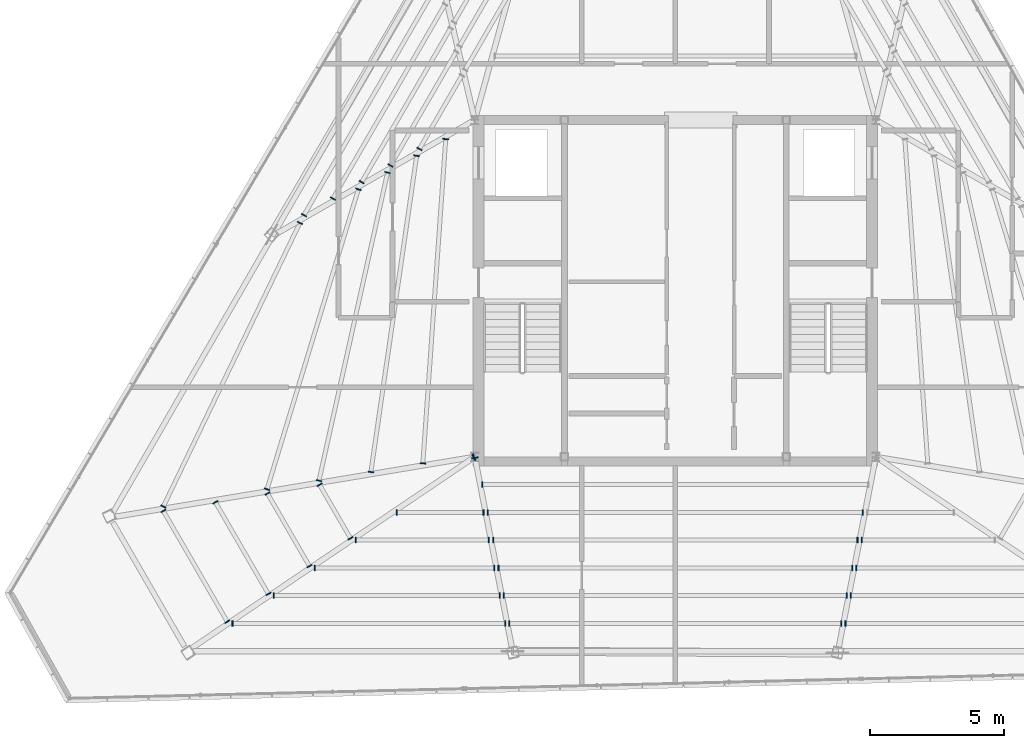
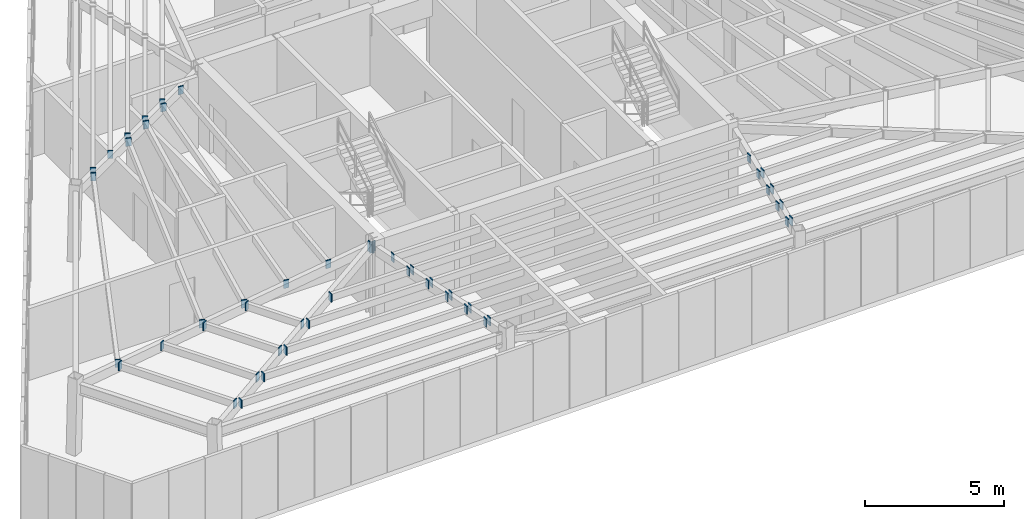
# One storey, part 39 of 47: 51 plates.
"""IFC4 building model written with IfcOpenShell, lengths in metres."""

from ifc_helpers import new_model, si_unit, direction, frame, origin, origin_2d, place, context, subcontext, project, spatial, rectangle, extrude, source, transform, mapped, material, layer, layer_set, type_object, type_shapes, element, save


model = new_model("IFC4")

# Units and contexts
model_context = context("Model", 3, precision=1e-05, world=origin(), true_north=direction((0.0, 1.0)))
body_context = subcontext(model_context, "Body", "Model", "MODEL_VIEW")
ifc_project = project(units=[si_unit("LENGTHUNIT", "METRE"), si_unit("AREAUNIT", "SQUARE_METRE"), si_unit("VOLUMEUNIT", "CUBIC_METRE"), si_unit("PLANEANGLEUNIT", "RADIAN"), si_unit("MASSUNIT", "GRAM", prefix="KILO")], contexts=[model_context])

# Site, building, storey
site_placement = place(None, origin())
site = spatial("IfcSite", under=ifc_project, at=site_placement, CompositionType="ELEMENT")
building_placement = place(site_placement, origin())
building = spatial("IfcBuilding", under=site, at=building_placement, Name="Caelisora Broadcast Tower", CompositionType="ELEMENT")
storey_placement = place(building_placement, frame((0.0, 0.0, 293.199951171875)))
storey = spatial("IfcBuildingStorey", under=building, at=storey_placement, Name="L77", CompositionType="ELEMENT", Elevation=293.199951171875)

# Plates
ifc_material = material(Name="Steel Grade 350 L15 (AS/NZS 3678)", Category="steel")
ifc_layer = layer(ifc_material, 0.0400390625, Name="Steel Grade 350 L15 (AS/NZS 3678)")
ifc_layer_set = layer_set([ifc_layer], Name="Steel Grade 350 L15 (AS/NZS 3678)")
plate_type = type_object("IfcPlateType", Name="GP04", PredefinedType="USERDEFINED", material=ifc_layer_set)
shared_shape_1 = source(origin(), body_context, "Body", "SweptSolid", [
    extrude(rectangle(XDim=0.260009765625, YDim=0.0400390625, at=origin_2d()), origin(), (0.0, 0.0, 1.0), 0.4599609375),
])
for number, where, z_axis, x_axis, name in (
    (1, (30.46044921875, 17.393310546875, 2.719970703125), (0.0, 0.0, 1.0), (0.164359008451, -0.986400586142, 0.0), "L77 gusset plate GP04 (ND-RAD-L77-05)"),
    (2, (30.466796875, 17.377685546875, 2.719970703125), (0.0, 0.0, 1.0), (0.560060762816, -0.828451532652, 0.0), "L77 gusset plate GP04 (ND-RAD-L77-06)"),
    (3, (30.507568359375, 17.360595703125, 2.719970703125), (0.0, 0.0, 1.0), (0.981593866045, 0.190980318733, 0.0), "L77 gusset plate GP04 (ND-RAD-L77-07)"),
):
    element("IfcPlate", number, at=place(storey_placement, frame(where, z_axis=z_axis, x_axis=x_axis)), inside=storey, type_object=plate_type, Name=name, ObjectType="GUSSET PLATE", PredefinedType="USERDEFINED", context=body_context, shape_type="MappedRepresentation", body=[
        mapped(shared_shape_1, transform((0.0, 0.0, 0.0), scale=1.0)),
    ])
shared_shape_2 = source(origin(), body_context, "Body", "SweptSolid", [
    extrude(rectangle(XDim=0.2099609375, YDim=0.0400390625, at=origin_2d()), origin(), (0.0, 0.0, 1.0), 0.360107421875),
])
type_shapes(plate_type, [shared_shape_1, shared_shape_2])
for number, where, z_axis, x_axis, name in (
    (4, (28.42919921875, 28.914306640625, 2.81982421875), (0.0, 0.0, 1.0), (0.866025403784, -0.5, 0.0), "L77 gusset plate GP04 (ND-SB-L77-012B)"),
    (5, (27.349853515625, 28.294921875, 2.81982421875), (0.0, 0.0, 1.0), (0.866025403784, -0.5, 0.0), "L77 gusset plate GP04 (ND-SB-L77-013B)"),
    (6, (26.270263671875, 27.67578125, 2.81982421875), (0.0, 0.0, 1.0), (0.866025403784, -0.5, 0.0), "L77 gusset plate GP04 (ND-SB-L77-014B)"),
    (7, (25.19091796875, 27.056884765625, 2.81982421875), (0.0, 0.0, 1.0), (0.866025403784, -0.5, 0.0), "L77 gusset plate GP04 (ND-SB-L77-015B)"),
    (8, (24.111572265625, 26.4375, 2.81982421875), (0.0, 0.0, 1.0), (0.866025403784, -0.5, 0.0), "L77 gusset plate GP04 (ND-SB-L77-016B)"),
    (9, (29.413818359375, 29.28369140625, 2.81982421875), (0.0, 0.0, 1.0), (0.997515107958, -0.070452887775, 0.0), "L77 gusset plate GP04 (ND-SB-L77-017A)"),
    (10, (28.556884765625, 17.15478515625, 2.81982421875), (0.0, 0.0, 1.0), (0.997515107958, -0.070452887775, 0.0), "L77 gusset plate GP04 (ND-SB-L77-017B)"),
    (11, (28.326416015625, 28.65869140625, 2.81982421875), (0.0, 0.0, 1.0), (0.989676415933, -0.143319893055, 0.0), "L77 gusset plate GP04 (ND-SB-L77-018A)"),
    (12, (26.6142578125, 16.83154296875, 2.81982421875), (0.0, 0.0, 1.0), (0.989676415933, -0.143319893055, 0.0), "L77 gusset plate GP04 (ND-SB-L77-018B)"),
    (13, (27.2373046875, 28.032958984375, 2.81982421875), (0.0, 0.0, 1.0), (0.976106756203, -0.217291510406, 0.0), "L77 gusset plate GP04 (ND-SB-L77-019A)"),
    (14, (24.67236328125, 16.508544921875, 2.81982421875), (0.0, 0.0, 1.0), (0.976106756203, -0.217291510406, 0.0), "L77 gusset plate GP04 (ND-SB-L77-019B)"),
    (15, (26.146484375, 27.40576171875, 2.81982421875), (0.0, 0.0, 1.0), (0.956661241594, -0.291203140148, 0.0), "L77 gusset plate GP04 (ND-SB-L77-020A)"),
    (16, (22.73095703125, 16.185546875, 2.81982421875), (0.0, 0.0, 1.0), (0.956661241594, -0.291203140148, 0.0), "L77 gusset plate GP04 (ND-SB-L77-020B)"),
    (17, (23.956787109375, 26.146728515625, 2.81982421875), (0.0, 0.0, 1.0), (0.90100131981, -0.43381634559, 0.0), "L77 gusset plate GP04 (ND-SB-L77-021A)"),
    (18, (18.850830078125, 15.540771484375, 2.81982421875), (0.0, 0.0, 1.0), (0.90100131981, -0.43381634559, 0.0), "L77 gusset plate GP04 (ND-SB-L77-021B)"),
    (19, (24.69580078125, 16.35302734375, 2.81982421875), (0.0, 0.0, 1.0), (0.866025403784, 0.5, 0.0), "L77 gusset plate GP04 (ND-SB-L77-022A)"),
    (20, (25.851806640625, 14.3505859375, 2.81982421875), (0.0, 0.0, 1.0), (0.866025403784, 0.5, 0.0), "L77 gusset plate GP04 (ND-SB-L77-022B)"),
    (21, (22.7470703125, 16.0283203125, 2.81982421875), (0.0, 0.0, 1.0), (0.866025403784, 0.5, 0.0), "L77 gusset plate GP04 (ND-SB-L77-023A)"),
    (22, (24.3154296875, 13.3115234375, 2.81982421875), (0.0, 0.0, 1.0), (0.866025403784, 0.5, 0.0), "L77 gusset plate GP04 (ND-SB-L77-023B)"),
    (23, (20.79833984375, 15.703369140625, 2.81982421875), (0.0, 0.0, 1.0), (0.866025403784, 0.5, 0.0), "L77 gusset plate GP04 (ND-SB-L77-024A)"),
    (24, (22.779052734375, 12.272705078125, 2.81982421875), (0.0, 0.0, 1.0), (0.866025403784, 0.5, 0.0), "L77 gusset plate GP04 (ND-SB-L77-024B)"),
    (25, (18.849609375, 15.378662109375, 2.81982421875), (0.0, 0.0, 1.0), (0.866025403784, 0.5, 0.0), "L77 gusset plate GP04 (ND-SB-L77-025A)"),
    (26, (21.242431640625, 11.23388671875, 2.81982421875), (0.0, 0.0, 1.0), (0.866025403784, 0.5, 0.0), "L77 gusset plate GP04 (ND-SB-L77-025B)"),
    (27, (27.58251953125, 15.322265625, 2.81982421875), (0.0, 0.0, 1.0), (0.0, 1.0, 0.0), "L77 gusset plate GP04 (ND-SB-L77-026A)"),
    (28, (30.825439453125, 15.322265625, 2.81982421875), (0.0, 0.0, 1.0), (0.0, 1.0, 0.0), "L77 gusset plate GP04 (ND-SB-L77-026B)"),
    (29, (26.046142578125, 14.283447265625, 2.81982421875), (0.0, 0.0, 1.0), (0.0, 1.0, 0.0), "L77 gusset plate GP04 (ND-SB-L77-027A)"),
    (30, (31.027587890625, 14.283447265625, 2.81982421875), (0.0, 0.0, 1.0), (0.0, 1.0, 0.0), "L77 gusset plate GP04 (ND-SB-L77-027B)"),
    (31, (24.509521484375, 13.24462890625, 2.81982421875), (0.0, 0.0, 1.0), (0.0, 1.0, 0.0), "L77 gusset plate GP04 (ND-SB-L77-028A)"),
    (32, (31.2294921875, 13.24462890625, 2.81982421875), (0.0, 0.0, 1.0), (0.0, 1.0, 0.0), "L77 gusset plate GP04 (ND-SB-L77-028B)"),
    (33, (22.97314453125, 12.205810546875, 2.81982421875), (0.0, 0.0, 1.0), (0.0, 1.0, 0.0), "L77 gusset plate GP04 (ND-SB-L77-029A)"),
    (34, (31.431640625, 12.205810546875, 2.81982421875), (0.0, 0.0, 1.0), (0.0, 1.0, 0.0), "L77 gusset plate GP04 (ND-SB-L77-029B)"),
    (35, (21.436767578125, 11.1669921875, 2.81982421875), (0.0, 0.0, 1.0), (0.0, 1.0, 0.0), "L77 gusset plate GP04 (ND-SB-L77-030A)"),
    (36, (31.6337890625, 11.1669921875, 2.81982421875), (0.0, 0.0, 1.0), (0.0, 1.0, 0.0), "L77 gusset plate GP04 (ND-SB-L77-030B)"),
    (37, (30.781005859375, 16.361083984375, 2.81982421875), (0.0, 0.0, 1.0), (0.0, 1.0, 0.0), "L77 gusset plate GP04 (ND-SB-L77-031A)"),
    (38, (30.983154296875, 15.322265625, 2.81982421875), (0.0, 0.0, 1.0), (0.0, 1.0, 0.0), "L77 gusset plate GP04 (ND-SB-L77-032A)"),
    (39, (45.016845703125, 15.322265625, 2.81982421875), (0.0, 0.0, 1.0), (0.0, 1.0, 0.0), "L77 gusset plate GP04 (ND-SB-L77-032B)"),
    (40, (31.185302734375, 14.283447265625, 2.81982421875), (0.0, 0.0, 1.0), (0.0, 1.0, 0.0), "L77 gusset plate GP04 (ND-SB-L77-033A)"),
    (41, (44.814697265625, 14.283447265625, 2.81982421875), (0.0, 0.0, 1.0), (0.0, 1.0, 0.0), "L77 gusset plate GP04 (ND-SB-L77-033B)"),
    (42, (31.387451171875, 13.24462890625, 2.81982421875), (0.0, 0.0, 1.0), (0.0, 1.0, 0.0), "L77 gusset plate GP04 (ND-SB-L77-034A)"),
    (43, (44.612548828125, 13.24462890625, 2.81982421875), (0.0, 0.0, 1.0), (0.0, 1.0, 0.0), "L77 gusset plate GP04 (ND-SB-L77-034B)"),
    (44, (31.589599609375, 12.205810546875, 2.81982421875), (0.0, 0.0, 1.0), (0.0, 1.0, 0.0), "L77 gusset plate GP04 (ND-SB-L77-035A)"),
    (45, (44.410400390625, 12.205810546875, 2.81982421875), (0.0, 0.0, 1.0), (0.0, 1.0, 0.0), "L77 gusset plate GP04 (ND-SB-L77-035B)"),
    (46, (31.791748046875, 11.1669921875, 2.81982421875), (0.0, 0.0, 1.0), (0.0, 1.0, 0.0), "L77 gusset plate GP04 (ND-SB-L77-036A)"),
    (47, (44.208251953125, 11.1669921875, 2.81982421875), (0.0, 0.0, 1.0), (0.0, 1.0, 0.0), "L77 gusset plate GP04 (ND-SB-L77-036B)"),
    (48, (44.972412109375, 14.283447265625, 2.81982421875), (0.0, 0.0, 1.0), (0.0, 1.0, 0.0), "L77 gusset plate GP04 (ND-SB-L77-038A)"),
    (49, (44.7705078125, 13.24462890625, 2.81982421875), (0.0, 0.0, 1.0), (0.0, 1.0, 0.0), "L77 gusset plate GP04 (ND-SB-L77-039A)"),
    (50, (44.568359375, 12.205810546875, 2.81982421875), (0.0, 0.0, 1.0), (0.0, 1.0, 0.0), "L77 gusset plate GP04 (ND-SB-L77-040A)"),
    (51, (44.3662109375, 11.1669921875, 2.81982421875), (0.0, 0.0, 1.0), (0.0, 1.0, 0.0), "L77 gusset plate GP04 (ND-SB-L77-041A)"),
):
    element("IfcPlate", number, at=place(storey_placement, frame(where, z_axis=z_axis, x_axis=x_axis)), inside=storey, type_object=plate_type, Name=name, ObjectType="GUSSET PLATE", PredefinedType="USERDEFINED", context=body_context, shape_type="MappedRepresentation", body=[
        mapped(shared_shape_2, transform((0.0, 0.0, 0.0), scale=1.0)),
    ])

save(model, "model.ifc")
